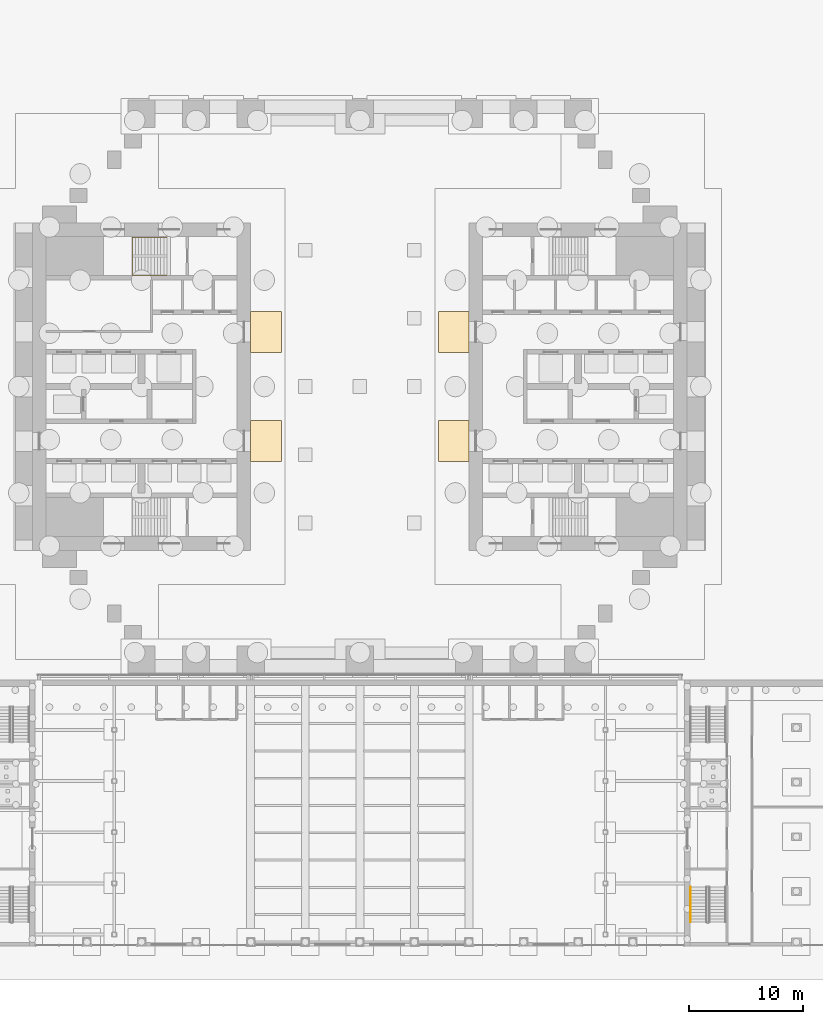
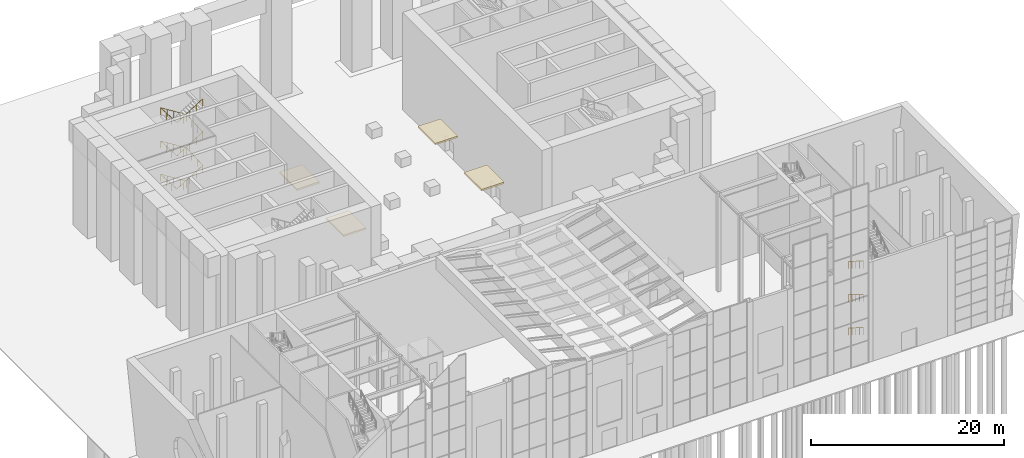
# One storey, part 54 of 58: 4 coverings, 4 railings.
"""IFC4 building model written with IfcOpenShell, lengths in metres."""

from ifc_helpers import new_model, si_unit, direction, frame, origin, origin_2d, place, context, subcontext, project, spatial, rectangle, circle, extrude, material, layer, layer_set, type_object, element, save


model = new_model("IFC4")

# Units and contexts
model_context = context("Model", 3, precision=1e-05, world=origin(), true_north=direction((0.0, 1.0)))
body_context = subcontext(model_context, "Body", "Model", "MODEL_VIEW")
ifc_project = project(units=[si_unit("LENGTHUNIT", "METRE"), si_unit("AREAUNIT", "SQUARE_METRE"), si_unit("VOLUMEUNIT", "CUBIC_METRE"), si_unit("PLANEANGLEUNIT", "RADIAN"), si_unit("MASSUNIT", "GRAM", prefix="KILO")], contexts=[model_context])

# Site, building, storey
site_placement = place(None, origin())
site = spatial("IfcSite", under=ifc_project, at=site_placement, CompositionType="ELEMENT")
building_placement = place(site_placement, origin())
building = spatial("IfcBuilding", under=site, at=building_placement, Name="Baori Bourse Tower", CompositionType="ELEMENT")
storey_placement = place(building_placement, origin())
storey = spatial("IfcBuildingStorey", under=building, at=storey_placement, Name="L00", CompositionType="ELEMENT", Elevation=0.0)

# Coverings
ifc_material_1 = material(Name="Pale anodised aluminium", Category="aluminium")
ifc_layer = layer(ifc_material_1, 0.199951171875)
ifc_layer_set = layer_set([ifc_layer], Name="CN1 Entrance canopy")
covering_type = type_object("IfcCoveringType", Name="CN1 Entrance canopy", PredefinedType="ROOFING", material=ifc_layer_set)
for number, where, z_axis, x_axis, name in (
    (1, (20.550048828125, 19.199951171875, 3.39990234375), (0.0, 0.0, 1.0), (1.0, 0.0, 0.0), "Entrance canopy W 1"),
    (2, (20.550048828125, 28.800048828125, 3.39990234375), (0.0, 0.0, 1.0), (1.0, 0.0, 0.0), "Entrance canopy W 2"),
    (3, (37.050048828125, 19.199951171875, 3.39990234375), (0.0, 0.0, 1.0), (1.0, 0.0, 0.0), "Entrance canopy E 3"),
    (4, (37.050048828125, 28.800048828125, 3.39990234375), (0.0, 0.0, 1.0), (1.0, 0.0, 0.0), "Entrance canopy E 4"),
):
    element("IfcCovering", number, at=place(storey_placement, frame(where, z_axis=z_axis, x_axis=x_axis)), inside=storey, type_object=covering_type, Name=name, PredefinedType="ROOFING", context=body_context, shape_type="SweptSolid", body=[
        extrude(rectangle(XDim=2.699951171875, YDim=3.60009765625, at=origin_2d()), origin(), (0.0, 0.0, 1.0), 0.199951171875),
    ])

# Railings
ifc_material_2 = material(Name="Powder-coated steel balustrade", Category="steel")
railing_type_1 = type_object("IfcRailingType", Name="Core stair handrail", PredefinedType="HANDRAIL", material=ifc_material_2)
railing_placement = place(storey_placement, frame((11.85009765625, 37.14990234375, 0.175048828125)))
element("IfcRailing", 5, at=railing_placement, inside=storey, type_object=railing_type_1, Name="L00 ST2 stair handrail 1", PredefinedType="HANDRAIL", context=body_context, shape_type="SweptSolid", body=[
    extrude(circle(Radius=0.02392578125, at=origin_2d()), frame((0.0, 0.0, 0.8759765625), z_axis=(-0.847998304005, 0.0, 0.529998940003), x_axis=(0.0, -1.0, 0.0)), (0.0, 0.0, 1.0), 3.632080078125),
    extrude(circle(Radius=0.02392578125, at=origin_2d()), frame((-3.080078125, 0.0, 2.80078125), z_axis=(0.0, -0.998641252765, 0.052111882296), x_axis=(1.0, 0.0, 0.0)), (0.0, 0.0, 1.0), 3.3544921875),
    extrude(circle(Radius=0.02392578125, at=origin_2d()), frame((-3.080078125, -3.349853515625, 2.9755859375), z_axis=(0.847998304005, 0.0, 0.529998940003), x_axis=(0.0, 1.0, 0.0)), (0.0, 0.0, 1.0), 3.632080078125),
    extrude(circle(Radius=0.02392578125, at=origin_2d()), frame((0.0, -3.349853515625, 4.90087890625), z_axis=(0.0, 0.99863746249, 0.052184466191), x_axis=(-1.0, 0.0, 0.0)), (0.0, 0.0, 1.0), 3.3544921875),
    extrude(circle(Radius=0.02392578125, at=origin_2d()), frame((0.0, 0.0, 5.07568359375), z_axis=(-0.847998304005, 0.0, 0.529998940003), x_axis=(0.0, -1.0, 0.0)), (0.0, 0.0, 1.0), 3.632080078125),
    extrude(circle(Radius=0.02392578125, at=origin_2d()), frame((-3.080078125, 0.0, 7.0009765625), z_axis=(0.0, -0.99863746249, 0.052184466191), x_axis=(1.0, 0.0, 0.0)), (0.0, 0.0, 1.0), 3.3544921875),
    extrude(circle(Radius=0.02392578125, at=origin_2d()), frame((-3.080078125, -3.349853515625, 7.17578125), z_axis=(0.848028513186, 0.0, 0.529950602248), x_axis=(0.0, 1.0, 0.0)), (0.0, 0.0, 1.0), 3.632080078125),
    extrude(circle(Radius=0.02392578125, at=origin_2d()), frame((0.0, -3.349853515625, 9.1005859375), z_axis=(0.0, 0.99863746249, 0.052184466191), x_axis=(-1.0, 0.0, 0.0)), (0.0, 0.0, 1.0), 3.3544921875),
    extrude(circle(Radius=0.02392578125, at=origin_2d()), frame((0.0, 0.0, 9.27587890625), z_axis=(-0.847998304005, 0.0, 0.529998940003), x_axis=(0.0, -1.0, 0.0)), (0.0, 0.0, 1.0), 3.632080078125),
    extrude(circle(Radius=0.02392578125, at=origin_2d()), frame((-3.080078125, 0.0, 11.20068359375), z_axis=(0.0, -0.99863746249, 0.052184466191), x_axis=(1.0, 0.0, 0.0)), (0.0, 0.0, 1.0), 3.3544921875),
    extrude(circle(Radius=0.02392578125, at=origin_2d()), frame((-3.080078125, -3.349853515625, 11.3759765625), z_axis=(0.847998304005, 0.0, 0.529998940003), x_axis=(0.0, 1.0, 0.0)), (0.0, 0.0, 1.0), 3.632080078125),
    extrude(circle(Radius=0.02099609375, at=origin_2d()), origin(), (0.0, 0.0, 1.0), 0.851806640625),
    extrude(circle(Radius=0.02099609375, at=origin_2d()), frame((-0.77001953125, 0.0, 0.481201171875)), (0.0, 0.0, 1.0), 0.851806640625),
    extrude(circle(Radius=0.02099609375, at=origin_2d()), frame((-1.5400390625, 0.0, 0.96240234375)), (0.0, 0.0, 1.0), 0.851806640625),
    extrude(circle(Radius=0.02099609375, at=origin_2d()), frame((-2.31005859375, 0.0, 1.44384765625)), (0.0, 0.0, 1.0), 0.851806640625),
    extrude(circle(Radius=0.02099609375, at=origin_2d()), frame((-3.080078125, 0.0, 1.925048828125)), (0.0, 0.0, 1.0), 0.851806640625),
    extrude(circle(Radius=0.02099609375, at=origin_2d()), frame((-3.080078125, -1.11669921875, 1.9833984375)), (0.0, 0.0, 1.0), 0.851806640625),
    extrude(circle(Radius=0.02099609375, at=origin_2d()), frame((-3.080078125, -2.233154296875, 2.04150390625)), (0.0, 0.0, 1.0), 0.851806640625),
    extrude(circle(Radius=0.02099609375, at=origin_2d()), frame((-3.080078125, -3.349853515625, 2.099853515625)), (0.0, 0.0, 1.0), 0.851806640625),
    extrude(circle(Radius=0.02099609375, at=origin_2d()), frame((-2.31005859375, -3.349853515625, 2.5810546875)), (0.0, 0.0, 1.0), 0.851806640625),
    extrude(circle(Radius=0.02099609375, at=origin_2d()), frame((-1.5400390625, -3.349853515625, 3.0625)), (0.0, 0.0, 1.0), 0.851806640625),
    extrude(circle(Radius=0.02099609375, at=origin_2d()), frame((-0.77001953125, -3.349853515625, 3.543701171875)), (0.0, 0.0, 1.0), 0.851806640625),
    extrude(circle(Radius=0.02099609375, at=origin_2d()), frame((0.0, -3.349853515625, 4.02490234375)), (0.0, 0.0, 1.0), 0.851806640625),
    extrude(circle(Radius=0.02099609375, at=origin_2d()), frame((0.0, -2.233154296875, 4.083251953125)), (0.0, 0.0, 1.0), 0.851806640625),
    extrude(circle(Radius=0.02099609375, at=origin_2d()), frame((0.0, -1.11669921875, 4.1416015625)), (0.0, 0.0, 1.0), 0.851806640625),
    extrude(circle(Radius=0.02099609375, at=origin_2d()), frame((0.0, 0.0, 4.199951171875)), (0.0, 0.0, 1.0), 0.851806640625),
    extrude(circle(Radius=0.02099609375, at=origin_2d()), frame((-0.77001953125, 0.0, 4.68115234375)), (0.0, 0.0, 1.0), 0.851806640625),
    extrude(circle(Radius=0.02099609375, at=origin_2d()), frame((-1.5400390625, 0.0, 5.16259765625)), (0.0, 0.0, 1.0), 0.851806640625),
    extrude(circle(Radius=0.02099609375, at=origin_2d()), frame((-2.31005859375, 0.0, 5.643798828125)), (0.0, 0.0, 1.0), 0.851806640625),
    extrude(circle(Radius=0.02099609375, at=origin_2d()), frame((-3.080078125, 0.0, 6.125)), (0.0, 0.0, 1.0), 0.851806640625),
    extrude(circle(Radius=0.02099609375, at=origin_2d()), frame((-3.080078125, -1.11669921875, 6.183349609375)), (0.0, 0.0, 1.0), 0.851806640625),
    extrude(circle(Radius=0.02099609375, at=origin_2d()), frame((-3.080078125, -2.233154296875, 6.24169921875)), (0.0, 0.0, 1.0), 0.851806640625),
    extrude(circle(Radius=0.02099609375, at=origin_2d()), frame((-3.080078125, -3.349853515625, 6.300048828125)), (0.0, 0.0, 1.0), 0.851806640625),
    extrude(circle(Radius=0.02099609375, at=origin_2d()), frame((-2.31005859375, -3.349853515625, 6.78125)), (0.0, 0.0, 1.0), 0.851806640625),
    extrude(circle(Radius=0.02099609375, at=origin_2d()), frame((-1.5400390625, -3.349853515625, 7.262451171875)), (0.0, 0.0, 1.0), 0.851806640625),
    extrude(circle(Radius=0.02099609375, at=origin_2d()), frame((-0.77001953125, -3.349853515625, 7.74365234375)), (0.0, 0.0, 1.0), 0.851806640625),
    extrude(circle(Radius=0.02099609375, at=origin_2d()), frame((0.0, -3.349853515625, 8.224853515625)), (0.0, 0.0, 1.0), 0.851806640625),
    extrude(circle(Radius=0.02099609375, at=origin_2d()), frame((0.0, -2.233154296875, 8.283203125)), (0.0, 0.0, 1.0), 0.851806640625),
    extrude(circle(Radius=0.02099609375, at=origin_2d()), frame((0.0, -1.11669921875, 8.341552734375)), (0.0, 0.0, 1.0), 0.851806640625),
    extrude(circle(Radius=0.02099609375, at=origin_2d()), frame((0.0, 0.0, 8.39990234375)), (0.0, 0.0, 1.0), 0.851806640625),
    extrude(circle(Radius=0.02099609375, at=origin_2d()), frame((-0.77001953125, 0.0, 8.881103515625)), (0.0, 0.0, 1.0), 0.851806640625),
    extrude(circle(Radius=0.02099609375, at=origin_2d()), frame((-1.5400390625, 0.0, 9.3623046875)), (0.0, 0.0, 1.0), 0.851806640625),
    extrude(circle(Radius=0.02099609375, at=origin_2d()), frame((-2.31005859375, 0.0, 9.84375)), (0.0, 0.0, 1.0), 0.851806640625),
    extrude(circle(Radius=0.02099609375, at=origin_2d()), frame((-3.080078125, 0.0, 10.324951171875)), (0.0, 0.0, 1.0), 0.851806640625),
    extrude(circle(Radius=0.02099609375, at=origin_2d()), frame((-3.080078125, -1.11669921875, 10.38330078125)), (0.0, 0.0, 1.0), 0.851806640625),
    extrude(circle(Radius=0.02099609375, at=origin_2d()), frame((-3.080078125, -2.233154296875, 10.441650390625)), (0.0, 0.0, 1.0), 0.851806640625),
    extrude(circle(Radius=0.02099609375, at=origin_2d()), frame((-3.080078125, -3.349853515625, 10.5)), (0.0, 0.0, 1.0), 0.851806640625),
    extrude(circle(Radius=0.02099609375, at=origin_2d()), frame((-2.31005859375, -3.349853515625, 10.981201171875)), (0.0, 0.0, 1.0), 0.851806640625),
    extrude(circle(Radius=0.02099609375, at=origin_2d()), frame((-1.5400390625, -3.349853515625, 11.46240234375)), (0.0, 0.0, 1.0), 0.851806640625),
    extrude(circle(Radius=0.02099609375, at=origin_2d()), frame((-0.77001953125, -3.349853515625, 11.94384765625)), (0.0, 0.0, 1.0), 0.851806640625),
    extrude(circle(Radius=0.02099609375, at=origin_2d()), frame((0.0, -3.349853515625, 12.425048828125)), (0.0, 0.0, 1.0), 0.851806640625),
])
ifc_material_3 = material(Name="Stainless steel AISI 316", Category="steel")
railing_type_2 = type_object("IfcRailingType", Name="Wing handrail 900", PredefinedType="HANDRAIL", material=ifc_material_3)
for number, where, name in (
    (6, (57.89990234375, -20.0400390625, 0.175048828125), "L00 E-STB stair handrail 1"),
    (7, (57.89990234375, -20.0400390625, 4.375), "L00 E-STB stair handrail 3"),
    (8, (57.89990234375, -20.0400390625, 8.574951171875), "L00 E-STB stair handrail 5"),
):
    element("IfcRailing", number, at=place(storey_placement, frame(where)), inside=storey, type_object=railing_type_2, Name=name, PredefinedType="HANDRAIL", context=body_context, shape_type="SweptSolid", body=[
        extrude(circle(Radius=0.02392578125, at=origin_2d()), frame((0.0, 0.0, 0.8759765625), z_axis=(0.0, -0.847998304005, 0.529998940003), x_axis=(1.0, 0.0, 0.0)), (0.0, 0.0, 1.0), 3.632080078125),
        extrude(circle(Radius=0.02099609375, at=origin_2d()), origin(), (0.0, 0.0, 1.0), 0.851806640625),
        extrude(circle(Radius=0.02099609375, at=origin_2d()), frame((0.0, -0.77001953125, 0.481201171875)), (0.0, 0.0, 1.0), 0.851806640625),
        extrude(circle(Radius=0.02099609375, at=origin_2d()), frame((0.0, -1.5400390625, 0.96240234375)), (0.0, 0.0, 1.0), 0.851806640625),
        extrude(circle(Radius=0.02099609375, at=origin_2d()), frame((0.0, -2.31005859375, 1.44384765625)), (0.0, 0.0, 1.0), 0.851806640625),
        extrude(circle(Radius=0.02099609375, at=origin_2d()), frame((0.0, -3.080078125, 1.925048828125)), (0.0, 0.0, 1.0), 0.851806640625),
    ])

save(model, "model.ifc")
